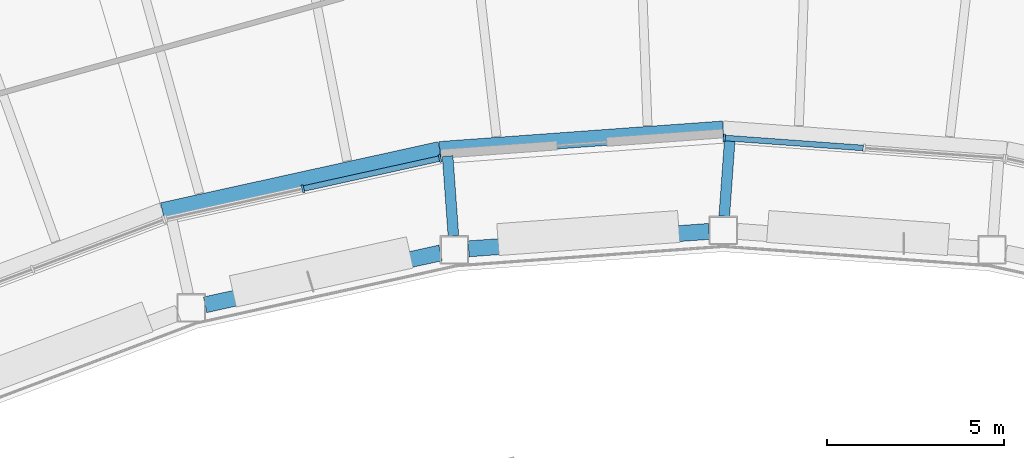
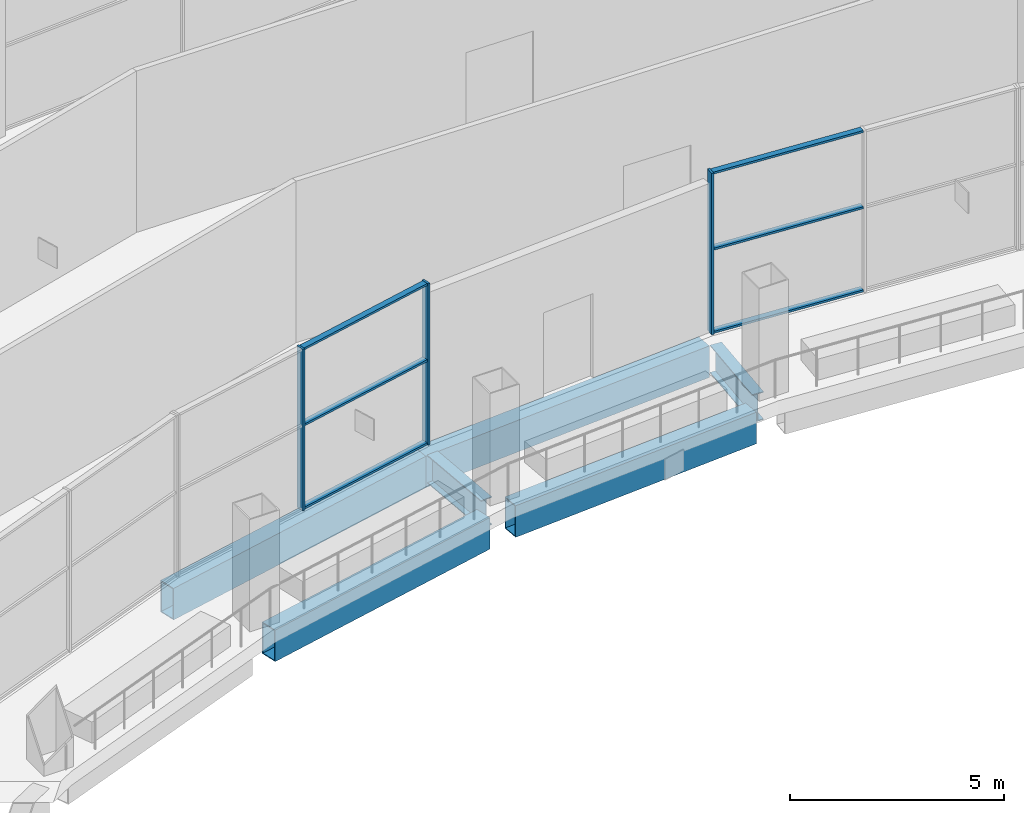
# One storey, part 5 of 29: 9 members, 6 beams, 2 elements without a shape of their own.
"""IFC4 building model written with IfcOpenShell, lengths in metres."""

import ifcopenshell
import ifcopenshell.guid

model = None  # the IFC model being written
_history = None  # IfcOwnerHistory: only IFC2X3 demands one
_inside = {}  # id of a spatial element -> (the spatial element, [elements in it])
_under = {}  # id of a project, library or spatial element -> (it, [spatial elements below it])
_declared = {}  # id of a project -> (the project, [libraries it declares])
_typed = {}  # id of a type object -> (the type object, [elements of that type])
_made_of = {}  # id of a material, layer set ... -> (it, [elements and type objects made of it])


def new_model(schema):
    """Start an empty IFC model of exactly this schema.

    Asked for "IFC4X3", IfcOpenShell would pick the latest addendum, in which some entities
    have other attributes; the version numbers below select the first issue.
    IFC2X3 requires an IfcOwnerHistory on every rooted entity: one is made here for all.
    """
    global model, _history
    if schema == "IFC4X3":
        model = ifcopenshell.file(schema_version=(4, 3, 0, 0))
    else:
        model = ifcopenshell.file(schema=schema)
    _inside.clear()
    _under.clear()
    _declared.clear()
    _typed.clear()
    _made_of.clear()
    _history = None
    if model.schema == "IFC2X3":
        org = make("IfcOrganization", Name="unknown")
        user = make(
            "IfcPersonAndOrganization",
            ThePerson=make("IfcPerson", FamilyName="unknown"),
            TheOrganization=org,
        )
        app = make(
            "IfcApplication",
            ApplicationDeveloper=org,
            Version="unknown",
            ApplicationFullName="unknown",
            ApplicationIdentifier="unknown",
        )
        _history = make(
            "IfcOwnerHistory",
            OwningUser=user,
            OwningApplication=app,
            ChangeAction="ADDED",
            CreationDate=0,
        )
    return model


def make(cls, **values):
    """One entity of the class cls with the attributes given. An attribute that is None is left unset."""
    return model.create_entity(
        cls, **{name: value for name, value in values.items() if value is not None}
    )


def rooted(cls, **values):
    """An entity with a GlobalId (a new one), such as an element, a storey or a relation."""
    return make(cls, GlobalId=ifcopenshell.guid.new(), OwnerHistory=_history, **values)


def si_unit(unit_type, name, prefix=None):
    """IfcSIUnit, for example si_unit("LENGTHUNIT", "METRE", prefix="MILLI")."""
    return make("IfcSIUnit", UnitType=unit_type, Prefix=prefix, Name=name)


def assignment(units):
    """IfcUnitAssignment: the units of a project."""
    return None if units is None else make("IfcUnitAssignment", Units=units)


def point(xyz):
    """IfcCartesianPoint."""
    return None if xyz is None else make("IfcCartesianPoint", Coordinates=xyz)


def direction(xyz):
    """IfcDirection."""
    return None if xyz is None else make("IfcDirection", DirectionRatios=xyz)


def frame(location, z_axis=None, x_axis=None):
    """IfcAxis2Placement3D, a coordinate frame: its origin and axes. An axis left out is left unset."""
    return make(
        "IfcAxis2Placement3D",
        Location=point(location),
        Axis=direction(z_axis),
        RefDirection=direction(x_axis),
    )


def frame_2d(location, x_axis=None):
    """IfcAxis2Placement2D, a coordinate frame in the plane: its origin and x axis."""
    return make(
        "IfcAxis2Placement2D", Location=point(location), RefDirection=direction(x_axis)
    )


def origin():
    """The frame at (0, 0, 0) with its axes left unset."""
    return frame((0.0, 0.0, 0.0))


def origin_2d():
    """The frame at (0, 0) in the plane with its x axis left unset."""
    return frame_2d((0.0, 0.0))


def place(relative_to, where):
    """IfcLocalPlacement: puts the frame where relative to a parent placement (None: the world)."""
    return make(
        "IfcLocalPlacement", PlacementRelTo=relative_to, RelativePlacement=where
    )


def context(
    kind, dimensions, precision=None, world=None, true_north=None, identifier=None
):
    """IfcGeometricRepresentationContext, for example the 3D "Model" context."""
    return make(
        "IfcGeometricRepresentationContext",
        ContextIdentifier=identifier,
        ContextType=kind,
        CoordinateSpaceDimension=dimensions,
        Precision=precision,
        WorldCoordinateSystem=world,
        TrueNorth=true_north,
    )


def subcontext(parent, identifier, kind, view, scale=None):
    """IfcGeometricRepresentationSubContext, for example "Body" below "Model"."""
    return make(
        "IfcGeometricRepresentationSubContext",
        ContextIdentifier=identifier,
        ContextType=kind,
        ParentContext=parent,
        TargetScale=scale,
        TargetView=view,
    )


def project(units=None, contexts=None):
    """IfcProject with its units and contexts."""
    return rooted(
        "IfcProject",
        Name="project",
        RepresentationContexts=contexts,
        UnitsInContext=assignment(units),
    )


def spatial(cls, under=None, at=None, **own):
    """A site, building, storey or space (cls), placed at a placement, below another one or the project."""
    s = rooted(cls, ObjectPlacement=at, **own)
    if under is not None:
        _under.setdefault(under.id(), (under, []))[1].append(s)
    return s


def profile(cls, at=None, kind="AREA", **sizes):
    """A parametric profile (cls). Its sizes go by their IFC names, for example OverallWidth=200.0."""
    return make(cls, ProfileType=kind, Position=at, **sizes)


def rectangle(**sizes):
    """IfcRectangleProfileDef."""
    return profile("IfcRectangleProfileDef", **sizes)


def hollow_rectangle(**sizes):
    """IfcRectangleHollowProfileDef."""
    return profile("IfcRectangleHollowProfileDef", **sizes)


def i_section(**sizes):
    """IfcIShapeProfileDef."""
    return profile("IfcIShapeProfileDef", **sizes)


def extrude(swept, where, along, depth):
    """IfcExtrudedAreaSolid: the profile swept, set in the frame where, extruded along a direction by depth."""
    return make(
        "IfcExtrudedAreaSolid",
        SweptArea=swept,
        Position=where,
        ExtrudedDirection=direction(along),
        Depth=depth,
    )


def shape(context_of_items, identifier, shape_type, items):
    """IfcShapeRepresentation: the items that make up one representation, for example the "Body"."""
    return make(
        "IfcShapeRepresentation",
        ContextOfItems=context_of_items,
        RepresentationIdentifier=identifier,
        RepresentationType=shape_type,
        Items=items,
    )


def material(Name=None, Category=None):
    """IfcMaterial."""
    return make("IfcMaterial", Name=Name, Category=Category)


def layer(
    of_material, thickness, ventilated=None, Name=None, Category=None, Priority=None
):
    """IfcMaterialLayer: one layer of a wall or slab, of a material (None: an air gap)."""
    return make(
        "IfcMaterialLayer",
        Material=of_material,
        LayerThickness=thickness,
        IsVentilated=ventilated,
        Name=Name,
        Category=Category,
        Priority=Priority,
    )


def layer_set(layers, Name=None):
    """IfcMaterialLayerSet."""
    return make("IfcMaterialLayerSet", MaterialLayers=layers, LayerSetName=Name)


def material_profile(
    of_material, cross_section, Name=None, Category=None, Priority=None
):
    """IfcMaterialProfile: a cross section and its material."""
    return make(
        "IfcMaterialProfile",
        Name=Name,
        Material=of_material,
        Profile=cross_section,
        Priority=Priority,
        Category=Category,
    )


def profile_set(profiles, Name=None, composite=None):
    """IfcMaterialProfileSet."""
    return make(
        "IfcMaterialProfileSet",
        Name=Name,
        MaterialProfiles=profiles,
        CompositeProfile=composite,
    )


def made_of(thing, what):
    """Note that an element or type object is made of a material, layer set ...; save() writes the relation."""
    if what is not None:
        _made_of.setdefault(what.id(), (what, []))[1].append(thing)
    return thing


def type_object(cls, material=None, **own):
    """A type object (cls), such as IfcWallType, which elements share."""
    return made_of(rooted(cls, **own), material)


def element(
    cls,
    number,
    at=None,
    inside=None,
    cuts=None,
    type_object=None,
    material=None,
    context=None,
    identifier="Body",
    shape_type=None,
    held_by="IfcProductDefinitionShape",
    body=None,
    shapes=None,
    **own,
):
    """One element of the class cls, such as IfcWall. Its Tag is "e" and its number.

    at: its placement. inside: the storey or other place that contains it. cuts: it is an
    opening in that element (IfcRelVoidsElement). A single representation is given by context,
    identifier, shape_type and body (its items); several are given by shapes. held_by: the class
    of the entity that holds the representations. save() writes the other relations.
    """
    e = rooted(cls, Tag="e%d" % number, ObjectPlacement=at, **own)
    if body is not None:
        shapes = [shape(context, identifier, shape_type, body)]
    if shapes is not None:
        e.Representation = make(held_by, Representations=shapes)
    if inside is not None:
        _inside.setdefault(inside.id(), (inside, []))[1].append(e)
    if cuts is not None:
        rooted(
            "IfcRelVoidsElement", RelatingBuildingElement=cuts, RelatedOpeningElement=e
        )
    if type_object is not None:
        _typed.setdefault(type_object.id(), (type_object, []))[1].append(e)
    return made_of(e, material)


def aggregate(whole, parts):
    """IfcRelAggregates: a whole, such as a stair, and the parts it consists of."""
    return rooted("IfcRelAggregates", RelatingObject=whole, RelatedObjects=parts)


def save(model, path):
    """Write the relations noted so far, then the file.

    IfcRelAggregates (storeys below a building ...), IfcRelContainedInSpatialStructure (elements
    in a storey), IfcRelDefinesByType, IfcRelAssociatesMaterial and IfcRelDeclares: one each for
    every whole, place, type object, material and project.
    """
    for whole, parts in _under.values():
        aggregate(whole, parts)
    for where, things in _inside.values():
        rooted(
            "IfcRelContainedInSpatialStructure",
            RelatedElements=things,
            RelatingStructure=where,
        )
    for kind, things in _typed.values():
        rooted("IfcRelDefinesByType", RelatedObjects=things, RelatingType=kind)
    for what, things in _made_of.values():
        rooted("IfcRelAssociatesMaterial", RelatedObjects=things, RelatingMaterial=what)
    for by, libraries in _declared.values():
        rooted("IfcRelDeclares", RelatingContext=by, RelatedDefinitions=libraries)
    model.write(path)


model = new_model("IFC4")

# Units and contexts
model_context = context("Model", 3, precision=1e-05, world=origin(), true_north=direction((0.0, 1.0)))
body_context = subcontext(model_context, "Body", "Model", "MODEL_VIEW")
ifc_project = project(units=[si_unit("LENGTHUNIT", "METRE"), si_unit("AREAUNIT", "SQUARE_METRE"), si_unit("VOLUMEUNIT", "CUBIC_METRE"), si_unit("PLANEANGLEUNIT", "RADIAN"), si_unit("MASSUNIT", "GRAM", prefix="KILO")], contexts=[model_context])

# Site, building, storey
site_placement = place(None, origin())
site = spatial("IfcSite", under=ifc_project, at=site_placement, CompositionType="ELEMENT")
building_placement = place(site_placement, origin())
building = spatial("IfcBuilding", under=site, at=building_placement, Name="Tuul Gate Civic Tower", CompositionType="ELEMENT")
storey_placement = place(building_placement, frame((0.0, 0.0, 238.89990234375)))
storey = spatial("IfcBuildingStorey", under=building, at=storey_placement, Name="Sky garden level 2", CompositionType="ELEMENT", Elevation=238.89990234375)

# Curtain wall, members
ifc_material_1 = material(Name="Aluminium", Category="aluminium")
ifc_layer = layer(ifc_material_1, 0.199951171875)
ifc_layer_set = layer_set([ifc_layer], Name="Aluminium")
curtain_wall_type = type_object("IfcCurtainWallType", Name="Curtain wall CW3", PredefinedType="NOTDEFINED", material=ifc_layer_set)
curtain_wall_1_placement = place(storey_placement, origin())
curtain_wall_1 = element("IfcCurtainWall", 1, at=curtain_wall_1_placement, inside=storey, type_object=curtain_wall_type, Name="Curtain wall CW3", PredefinedType="NOTDEFINED")
ifc_material_2 = material(Name="Aluminium", Category="aluminium")
ifc_material_profile_1 = material_profile(ifc_material_2, rectangle(XDim=0.219970703125, YDim=0.06005859375, at=origin_2d()), Name="CW3 mullion")
ifc_profile_set_1 = profile_set([ifc_material_profile_1], Name="Aluminium")
member_type_1 = type_object("IfcMemberType", Name="CW3 mullion", PredefinedType="MULLION", material=ifc_profile_set_1)
member_1_placement = place(storey_placement, frame((-5.8984375, -1.616455078125, 0.0), z_axis=(0.0, 0.0, 1.0), x_axis=(-0.215242449721, 0.976560642171, 0.0)))
member_1 = element("IfcMember", 2, at=member_1_placement, type_object=member_type_1, Name="Mullion", PredefinedType="MULLION", context=body_context, shape_type="SweptSolid", body=[
    extrude(rectangle(XDim=0.219970703125, YDim=0.06005859375, at=origin_2d()), origin(), (0.0, 0.0, 1.0), 4.60009765625),
])
member_2_placement = place(storey_placement, frame((-2.037353515625, -0.765380859375, 0.0), z_axis=(0.0, 0.0, 1.0), x_axis=(-0.215242449721, 0.976560642171, 0.0)))
member_2 = element("IfcMember", 3, at=member_2_placement, type_object=member_type_1, Name="Mullion", PredefinedType="MULLION", context=body_context, shape_type="SweptSolid", body=[
    extrude(rectangle(XDim=0.219970703125, YDim=0.06005859375, at=origin_2d()), origin(), (0.0, 0.0, 1.0), 4.60009765625),
])

# Curtain wall, member
curtain_wall_2_placement = place(storey_placement, origin())
curtain_wall_2 = element("IfcCurtainWall", 4, at=curtain_wall_2_placement, inside=storey, type_object=curtain_wall_type, Name="Curtain wall CW3", PredefinedType="NOTDEFINED")
member_3_placement = place(storey_placement, frame((5.969970703125, -0.186279296875, 0.0), z_axis=(0.0, 0.0, 1.0), x_axis=(0.072165694963, 0.997392657117, 0.0)))
member_3 = element("IfcMember", 5, at=member_3_placement, type_object=member_type_1, Name="Mullion", PredefinedType="MULLION", context=body_context, shape_type="SweptSolid", body=[
    extrude(rectangle(XDim=0.219970703125, YDim=0.06005859375, at=origin_2d()), origin(), (0.0, 0.0, 1.0), 4.60009765625),
])

# Member
ifc_material_3 = material(Name="Aluminium", Category="aluminium")
ifc_material_profile_2 = material_profile(ifc_material_3, rectangle(XDim=0.159912109375, YDim=0.06005859375, at=origin_2d()), Name="CW3 transom")
ifc_profile_set_2 = profile_set([ifc_material_profile_2], Name="Aluminium")
member_type_2 = type_object("IfcMemberType", Name="CW3 transom", PredefinedType="USERDEFINED", material=ifc_profile_set_2)
member_4_placement = place(storey_placement, frame((-5.869140625, -1.610107421875, 0.030029296875), z_axis=(0.976558867035, 0.215250503405, 0.0), x_axis=(-0.215250503405, 0.976558867035, 0.0)))
member_4 = element("IfcMember", 6, at=member_4_placement, type_object=member_type_2, Name="Transom", ObjectType="TRANSOM", PredefinedType="USERDEFINED", context=body_context, shape_type="SweptSolid", body=[
    extrude(rectangle(XDim=0.159912109375, YDim=0.06005859375, at=origin_2d()), origin(), (0.0, 0.0, 1.0), 3.893798828125),
])

member_5_placement = place(storey_placement, frame((-5.869140625, -1.610107421875, 2.400146484375), z_axis=(0.976558867035, 0.215250503405, 0.0), x_axis=(-0.215250503405, 0.976558867035, 0.0)))
member_5 = element("IfcMember", 7, at=member_5_placement, type_object=member_type_2, Name="Transom", ObjectType="TRANSOM", PredefinedType="USERDEFINED", context=body_context, shape_type="SweptSolid", body=[
    extrude(rectangle(XDim=0.159912109375, YDim=0.06005859375, at=origin_2d()), origin(), (0.0, 0.0, 1.0), 3.893798828125),
])

member_6_placement = place(storey_placement, frame((-5.869140625, -1.610107421875, 4.570068359375), z_axis=(0.976558867035, 0.215250503405, 0.0), x_axis=(-0.215250503405, 0.976558867035, 0.0)))
member_6 = element("IfcMember", 8, at=member_6_placement, type_object=member_type_2, Name="Transom", ObjectType="TRANSOM", PredefinedType="USERDEFINED", context=body_context, shape_type="SweptSolid", body=[
    extrude(rectangle(XDim=0.159912109375, YDim=0.06005859375, at=origin_2d()), origin(), (0.0, 0.0, 1.0), 3.893798828125),
])

aggregate(curtain_wall_1, [member_1, member_2, member_4, member_5, member_6])

member_7_placement = place(storey_placement, frame((5.999755859375, -0.188232421875, 0.030029296875), z_axis=(0.997392715607, -0.072164886577, 0.0), x_axis=(0.072164886577, 0.997392715607, 0.0)))
member_7 = element("IfcMember", 9, at=member_7_placement, type_object=member_type_2, Name="Transom", ObjectType="TRANSOM", PredefinedType="USERDEFINED", context=body_context, shape_type="SweptSolid", body=[
    extrude(rectangle(XDim=0.159912109375, YDim=0.06005859375, at=origin_2d()), origin(), (0.0, 0.0, 1.0), 3.89404296875),
])

member_8_placement = place(storey_placement, frame((5.999755859375, -0.188232421875, 2.400146484375), z_axis=(0.997392715607, -0.072164886577, 0.0), x_axis=(0.072164886577, 0.997392715607, 0.0)))
member_8 = element("IfcMember", 10, at=member_8_placement, type_object=member_type_2, Name="Transom", ObjectType="TRANSOM", PredefinedType="USERDEFINED", context=body_context, shape_type="SweptSolid", body=[
    extrude(rectangle(XDim=0.159912109375, YDim=0.06005859375, at=origin_2d()), origin(), (0.0, 0.0, 1.0), 3.89404296875),
])

member_9_placement = place(storey_placement, frame((5.999755859375, -0.188232421875, 4.570068359375), z_axis=(0.997392715607, -0.072164886577, 0.0), x_axis=(0.072164886577, 0.997392715607, 0.0)))
member_9 = element("IfcMember", 11, at=member_9_placement, type_object=member_type_2, Name="Transom", ObjectType="TRANSOM", PredefinedType="USERDEFINED", context=body_context, shape_type="SweptSolid", body=[
    extrude(rectangle(XDim=0.159912109375, YDim=0.06005859375, at=origin_2d()), origin(), (0.0, 0.0, 1.0), 3.89404296875),
])

aggregate(curtain_wall_2, [member_3, member_7, member_8, member_9])

# Beams
ifc_material_4 = material(Name="Steel S355", Category="steel")
ifc_material_profile_3 = material_profile(ifc_material_4, i_section(OverallWidth=0.300048828125, OverallDepth=0.800048828125, WebThickness=0.013916015625, FlangeThickness=0.02490234375, at=origin_2d()), Name="PG800x300x14x25")
ifc_profile_set_3 = profile_set([ifc_material_profile_3], Name="Steel S355")
beam_type_1 = type_object("IfcBeamType", Name="STR-FLOOR BEAM-PG800x300x14x25", PredefinedType="BEAM", material=ifc_profile_set_3)
beam_1_placement = place(storey_placement, frame((-1.660888671875, -2.93994140625, -0.7998046875), z_axis=(-0.072264874573, 0.997385476084, 0.0), x_axis=(-0.997385476084, -0.072264874573, 0.0)))
element("IfcBeam", 12, at=beam_1_placement, inside=storey, type_object=beam_type_1, Name="Terrace beam", PredefinedType="BEAM", context=body_context, shape_type="SweptSolid", body=[
    extrude(i_section(OverallWidth=0.300048828125, OverallDepth=0.800048828125, WebThickness=0.013916015625, FlangeThickness=0.02490234375, at=origin_2d()), origin(), (0.0, 0.0, 1.0), 2.25),
])
beam_2_placement = place(storey_placement, frame((5.968994140625, -2.39111328125, -0.7998046875), z_axis=(0.072164744069, 0.997392725918, 0.0), x_axis=(-0.997392725918, 0.072164744069, 0.0)))
element("IfcBeam", 13, at=beam_2_placement, inside=storey, type_object=beam_type_1, Name="Terrace beam", PredefinedType="BEAM", context=body_context, shape_type="SweptSolid", body=[
    extrude(i_section(OverallWidth=0.300048828125, OverallDepth=0.800048828125, WebThickness=0.013916015625, FlangeThickness=0.02490234375, at=origin_2d()), origin(), (0.0, 0.0, 1.0), 2.249755859375),
])
ifc_material_5 = material(Name="Steel S355", Category="steel")
ifc_material_profile_4 = material_profile(ifc_material_5, hollow_rectangle(XDim=0.449951171875, YDim=0.89990234375, WallThickness=0.02490234375, at=origin_2d()), Name="BOX900x450x25")
ifc_profile_set_4 = profile_set([ifc_material_profile_4], Name="Steel S355")
beam_type_2 = type_object("IfcBeamType", Name="STR-SPANDREL BEAM-BOX900x450x25", PredefinedType="BEAM", material=ifc_profile_set_4)
beam_3_placement = place(storey_placement, frame((5.93994140625, 0.067138671875, -0.849853515625), z_axis=(-0.997386197809, -0.072254912774, 0.0), x_axis=(0.072254912774, -0.997386197809, 0.0)))
element("IfcBeam", 14, at=beam_3_placement, inside=storey, type_object=beam_type_2, Name="Spandrel beam", PredefinedType="BEAM", context=body_context, shape_type="SweptSolid", body=[
    extrude(hollow_rectangle(XDim=0.449951171875, YDim=0.89990234375, WallThickness=0.02490234375, at=origin_2d()), origin(), (0.0, 0.0, 1.0), 8.004638671875),
])
beam_4_placement = place(storey_placement, frame((-2.043701171875, -0.51123046875, -0.849853515625), z_axis=(-0.976577989902, -0.215163727515, 0.0), x_axis=(0.215163727515, -0.976577989902, 0.0)))
element("IfcBeam", 15, at=beam_4_placement, inside=storey, type_object=beam_type_2, Name="Spandrel beam", PredefinedType="BEAM", context=body_context, shape_type="SweptSolid", body=[
    extrude(hollow_rectangle(XDim=0.449951171875, YDim=0.89990234375, WallThickness=0.02490234375, at=origin_2d()), origin(), (0.0, 0.0, 1.0), 8.005126953125),
])
beam_5_placement = place(storey_placement, frame((-8.6552734375, -4.886962890625, -0.849853515625), z_axis=(0.976559454542, 0.215247837958, 0.0), x_axis=(-0.215247837958, 0.976559454542, 0.0)))
element("IfcBeam", 16, at=beam_5_placement, inside=storey, type_object=beam_type_2, Name="Terrace edge beam", PredefinedType="BEAM", context=body_context, shape_type="SweptSolid", body=[
    extrude(hollow_rectangle(XDim=0.449951171875, YDim=0.89990234375, WallThickness=0.02490234375, at=origin_2d()), origin(), (0.0, 0.0, 1.0), 6.791748046875),
])
beam_6_placement = place(storey_placement, frame((-1.233154296875, -3.31005859375, -0.849853515625), z_axis=(0.997381302407, 0.072322455777, 0.0), x_axis=(-0.072322455777, 0.997381302407, 0.0)))
element("IfcBeam", 17, at=beam_6_placement, inside=storey, type_object=beam_type_2, Name="Terrace edge beam", PredefinedType="BEAM", context=body_context, shape_type="SweptSolid", body=[
    extrude(hollow_rectangle(XDim=0.449951171875, YDim=0.89990234375, WallThickness=0.02490234375, at=origin_2d()), origin(), (0.0, 0.0, 1.0), 6.7919921875),
])

save(model, "model.ifc")
